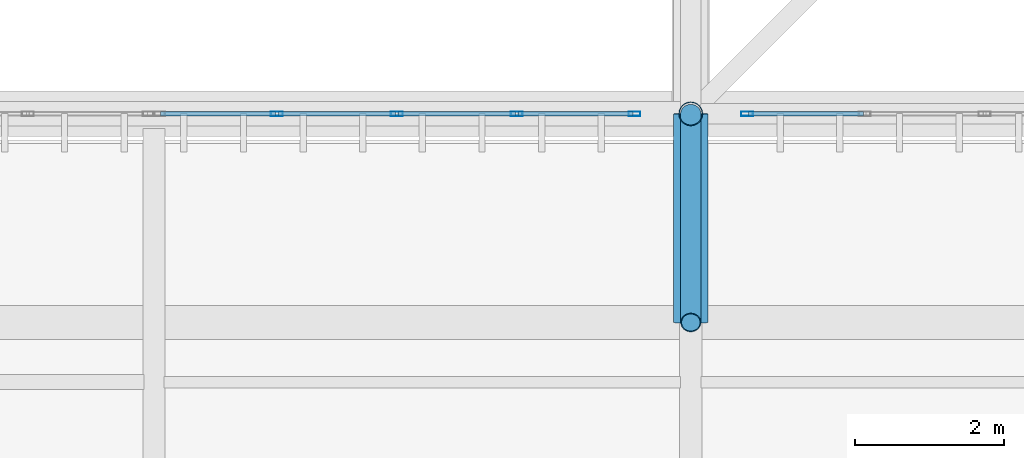
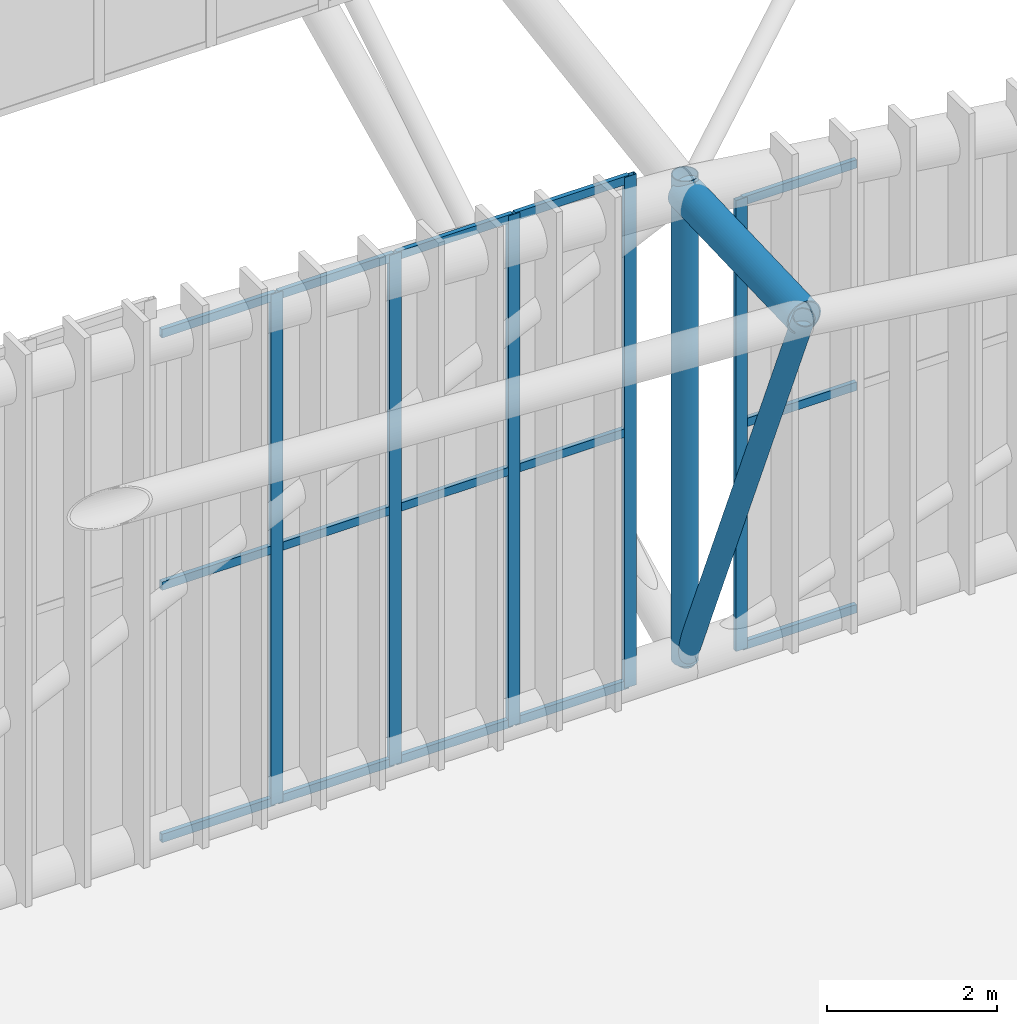
# One storey, part 83 of 397: 22 members, 1 beam, 2 elements without a shape of their own.
"""IFC4 building model written with IfcOpenShell, lengths in metres."""

from ifc_helpers import new_model, si_unit, direction, frame, origin, origin_2d, place, context, subcontext, project, spatial, hollow_rectangle, hollow_circle, extrude, material, material_profile, profile_set, type_object, element, aggregate, save


model = new_model("IFC4")

# Units and contexts
model_context = context("Model", 3, precision=1e-05, world=origin(), true_north=direction((0.0, 1.0)))
body_context = subcontext(model_context, "Body", "Model", "MODEL_VIEW")
ifc_project = project(units=[si_unit("LENGTHUNIT", "METRE"), si_unit("AREAUNIT", "SQUARE_METRE"), si_unit("VOLUMEUNIT", "CUBIC_METRE"), si_unit("PLANEANGLEUNIT", "RADIAN"), si_unit("MASSUNIT", "GRAM", prefix="KILO")], contexts=[model_context])

# Site, building, storey
site_placement = place(None, origin())
site = spatial("IfcSite", under=ifc_project, at=site_placement, CompositionType="ELEMENT")
building_placement = place(site_placement, origin())
building = spatial("IfcBuilding", under=site, at=building_placement, Name="Qandorah Velis Arena", CompositionType="ELEMENT")
storey_placement = place(building_placement, frame((0.0, 0.0, 27.5)))
storey = spatial("IfcBuildingStorey", under=building, at=storey_placement, Name="RF", CompositionType="ELEMENT", Elevation=27.5)

# Curtain wall, members
ifc_material_1 = material(Name="Solar-control low-E double glazing", Category="glass")
curtain_wall_type = type_object("IfcCurtainWallType", Name="ARC-CW-SYS22", PredefinedType="USERDEFINED", material=ifc_material_1)
curtain_wall_1_placement = place(storey_placement, origin())
curtain_wall_1 = element("IfcCurtainWall", 1, at=curtain_wall_1_placement, inside=storey, type_object=curtain_wall_type, Name="Unitised curtain wall CROWN-3-05S2", ObjectType="UNITISED CURTAIN WALL", PredefinedType="USERDEFINED")
ifc_material_2 = material(Name="Champagne-bronze anodized aluminium 6063-T6", Category="aluminium")
ifc_material_profile_1 = material_profile(ifc_material_2, hollow_rectangle(XDim=0.06005859375, YDim=0.159912109375, WallThickness=0.00341796875, at=origin_2d()), Name="ALU MULLION 60x160")
ifc_profile_set_1 = profile_set([ifc_material_profile_1], Name="Champagne-bronze anodized aluminium 6063-T6")
member_type_1 = type_object("IfcMemberType", Name="ARC-CWM-160", PredefinedType="MULLION", material=ifc_profile_set_1)
member_1_placement = place(storey_placement, frame((80.8486328125, 14.39990234375, -0.014892578125), z_axis=(0.0, 0.0, 1.0), x_axis=(0.0, 1.0, 0.0)))
member_1 = element("IfcMember", 2, at=member_1_placement, type_object=member_type_1, Name="CW22 mullion 2", PredefinedType="MULLION", context=body_context, shape_type="SweptSolid", body=[
    extrude(hollow_rectangle(XDim=0.06005859375, YDim=0.159912109375, WallThickness=0.00341796875, at=origin_2d()), origin(), (0.0, 0.0, 1.0), 7.32958984375),
])
member_2_placement = place(storey_placement, frame((82.45751953125, 14.39990234375, -0.014892578125), z_axis=(0.0, 0.0, 1.0), x_axis=(0.0, 1.0, 0.0)))
member_2 = element("IfcMember", 3, at=member_2_placement, type_object=member_type_1, Name="CW22 mullion 3", PredefinedType="MULLION", context=body_context, shape_type="SweptSolid", body=[
    extrude(hollow_rectangle(XDim=0.06005859375, YDim=0.159912109375, WallThickness=0.00341796875, at=origin_2d()), origin(), (0.0, 0.0, 1.0), 7.32958984375),
])
member_3_placement = place(storey_placement, frame((84.066162109375, 14.39990234375, -0.014892578125), z_axis=(0.0, 0.0, 1.0), x_axis=(0.0, 1.0, 0.0)))
member_3 = element("IfcMember", 4, at=member_3_placement, type_object=member_type_1, Name="CW22 mullion 4", PredefinedType="MULLION", context=body_context, shape_type="SweptSolid", body=[
    extrude(hollow_rectangle(XDim=0.06005859375, YDim=0.159912109375, WallThickness=0.00341796875, at=origin_2d()), origin(), (0.0, 0.0, 1.0), 7.32958984375),
])
member_4_placement = place(storey_placement, frame((85.64501953125, 14.39990234375, -0.014892578125), z_axis=(0.0, 0.0, 1.0), x_axis=(0.0, 1.0, 0.0)))
member_4 = element("IfcMember", 5, at=member_4_placement, type_object=member_type_1, Name="CW22 mullion 5", PredefinedType="MULLION", context=body_context, shape_type="SweptSolid", body=[
    extrude(hollow_rectangle(XDim=0.06005859375, YDim=0.159912109375, WallThickness=0.00341796875, at=origin_2d()), origin(), (0.0, 0.0, 1.0), 7.32958984375),
])

# Curtain wall, member
curtain_wall_2_placement = place(storey_placement, origin())
curtain_wall_2 = element("IfcCurtainWall", 6, at=curtain_wall_2_placement, inside=storey, type_object=curtain_wall_type, Name="Unitised curtain wall CROWN-3-06S1", ObjectType="UNITISED CURTAIN WALL", PredefinedType="USERDEFINED")
member_5_placement = place(storey_placement, frame((87.155029296875, 14.39990234375, -0.014892578125), z_axis=(0.0, 0.0, 1.0), x_axis=(0.0, 1.0, 0.0)))
member_5 = element("IfcMember", 7, at=member_5_placement, type_object=member_type_1, Name="CW22 mullion 1", PredefinedType="MULLION", context=body_context, shape_type="SweptSolid", body=[
    extrude(hollow_rectangle(XDim=0.06005859375, YDim=0.159912109375, WallThickness=0.00341796875, at=origin_2d()), origin(), (0.0, 0.0, 1.0), 6.469482421875),
])

# Member
ifc_material_profile_2 = material_profile(ifc_material_2, hollow_rectangle(XDim=0.06005859375, YDim=0.1201171875, WallThickness=0.0029296875, at=origin_2d()), Name="ALU TRANSOM 60x120")
ifc_profile_set_2 = profile_set([ifc_material_profile_2], Name="Champagne-bronze anodized aluminium 6063-T6")
member_type_2 = type_object("IfcMemberType", Name="ARC-CWT-120", PredefinedType="USERDEFINED", material=ifc_profile_set_2)
member_6_placement = place(storey_placement, frame((79.2880859375, 14.39990234375, 0.030029296875), z_axis=(1.0, 0.0, 0.0), x_axis=(0.0, 1.0, 0.0)))
member_6 = element("IfcMember", 8, at=member_6_placement, type_object=member_type_2, Name="CW22 transom 1.1", ObjectType="TRANSOM", PredefinedType="USERDEFINED", context=body_context, shape_type="SweptSolid", body=[
    extrude(hollow_rectangle(XDim=0.06005859375, YDim=0.1201171875, WallThickness=0.0029296875, at=origin_2d()), origin(), (0.0, 0.0, 1.0), 1.542724609375),
])

member_7_placement = place(storey_placement, frame((79.2880859375, 14.39990234375, 3.64990234375), z_axis=(1.0, 0.0, 0.0), x_axis=(0.0, 1.0, 0.0)))
member_7 = element("IfcMember", 9, at=member_7_placement, type_object=member_type_2, Name="CW22 transom 1.2", ObjectType="TRANSOM", PredefinedType="USERDEFINED", context=body_context, shape_type="SweptSolid", body=[
    extrude(hollow_rectangle(XDim=0.06005859375, YDim=0.1201171875, WallThickness=0.0029296875, at=origin_2d()), origin(), (0.0, 0.0, 1.0), 1.542724609375),
])

member_8_placement = place(storey_placement, frame((79.2880859375, 14.39990234375, 7.269775390625), z_axis=(1.0, 0.0, 0.0), x_axis=(0.0, 1.0, 0.0)))
member_8 = element("IfcMember", 10, at=member_8_placement, type_object=member_type_2, Name="CW22 transom 1.3", ObjectType="TRANSOM", PredefinedType="USERDEFINED", context=body_context, shape_type="SweptSolid", body=[
    extrude(hollow_rectangle(XDim=0.06005859375, YDim=0.1201171875, WallThickness=0.0029296875, at=origin_2d()), origin(), (0.0, 0.0, 1.0), 1.542724609375),
])

member_9_placement = place(storey_placement, frame((80.86669921875, 14.39990234375, 0.030029296875), z_axis=(1.0, 0.0, 0.0), x_axis=(0.0, 1.0, 0.0)))
member_9 = element("IfcMember", 11, at=member_9_placement, type_object=member_type_2, Name="CW22 transom 2.1", ObjectType="TRANSOM", PredefinedType="USERDEFINED", context=body_context, shape_type="SweptSolid", body=[
    extrude(hollow_rectangle(XDim=0.06005859375, YDim=0.1201171875, WallThickness=0.0029296875, at=origin_2d()), origin(), (0.0, 0.0, 1.0), 1.57275390625),
])

member_10_placement = place(storey_placement, frame((80.86669921875, 14.39990234375, 3.64990234375), z_axis=(1.0, 0.0, 0.0), x_axis=(0.0, 1.0, 0.0)))
member_10 = element("IfcMember", 12, at=member_10_placement, type_object=member_type_2, Name="CW22 transom 2.2", ObjectType="TRANSOM", PredefinedType="USERDEFINED", context=body_context, shape_type="SweptSolid", body=[
    extrude(hollow_rectangle(XDim=0.06005859375, YDim=0.1201171875, WallThickness=0.0029296875, at=origin_2d()), origin(), (0.0, 0.0, 1.0), 1.57275390625),
])

member_11_placement = place(storey_placement, frame((80.86669921875, 14.39990234375, 7.269775390625), z_axis=(1.0, 0.0, 0.0), x_axis=(0.0, 1.0, 0.0)))
member_11 = element("IfcMember", 13, at=member_11_placement, type_object=member_type_2, Name="CW22 transom 2.3", ObjectType="TRANSOM", PredefinedType="USERDEFINED", context=body_context, shape_type="SweptSolid", body=[
    extrude(hollow_rectangle(XDim=0.06005859375, YDim=0.1201171875, WallThickness=0.0029296875, at=origin_2d()), origin(), (0.0, 0.0, 1.0), 1.57275390625),
])

member_12_placement = place(storey_placement, frame((82.4755859375, 14.39990234375, 0.030029296875), z_axis=(1.0, 0.0, 0.0), x_axis=(0.0, 1.0, 0.0)))
member_12 = element("IfcMember", 14, at=member_12_placement, type_object=member_type_2, Name="CW22 transom 3.1", ObjectType="TRANSOM", PredefinedType="USERDEFINED", context=body_context, shape_type="SweptSolid", body=[
    extrude(hollow_rectangle(XDim=0.06005859375, YDim=0.1201171875, WallThickness=0.0029296875, at=origin_2d()), origin(), (0.0, 0.0, 1.0), 1.572509765625),
])

member_13_placement = place(storey_placement, frame((82.4755859375, 14.39990234375, 3.64990234375), z_axis=(1.0, 0.0, 0.0), x_axis=(0.0, 1.0, 0.0)))
member_13 = element("IfcMember", 15, at=member_13_placement, type_object=member_type_2, Name="CW22 transom 3.2", ObjectType="TRANSOM", PredefinedType="USERDEFINED", context=body_context, shape_type="SweptSolid", body=[
    extrude(hollow_rectangle(XDim=0.06005859375, YDim=0.1201171875, WallThickness=0.0029296875, at=origin_2d()), origin(), (0.0, 0.0, 1.0), 1.572509765625),
])

member_14_placement = place(storey_placement, frame((82.4755859375, 14.39990234375, 7.269775390625), z_axis=(1.0, 0.0, 0.0), x_axis=(0.0, 1.0, 0.0)))
member_14 = element("IfcMember", 16, at=member_14_placement, type_object=member_type_2, Name="CW22 transom 3.3", ObjectType="TRANSOM", PredefinedType="USERDEFINED", context=body_context, shape_type="SweptSolid", body=[
    extrude(hollow_rectangle(XDim=0.06005859375, YDim=0.1201171875, WallThickness=0.0029296875, at=origin_2d()), origin(), (0.0, 0.0, 1.0), 1.572509765625),
])

member_15_placement = place(storey_placement, frame((84.084228515625, 14.39990234375, 0.030029296875), z_axis=(1.0, 0.0, 0.0), x_axis=(0.0, 1.0, 0.0)))
member_15 = element("IfcMember", 17, at=member_15_placement, type_object=member_type_2, Name="CW22 transom 4.1", ObjectType="TRANSOM", PredefinedType="USERDEFINED", context=body_context, shape_type="SweptSolid", body=[
    extrude(hollow_rectangle(XDim=0.06005859375, YDim=0.1201171875, WallThickness=0.0029296875, at=origin_2d()), origin(), (0.0, 0.0, 1.0), 1.542724609375),
])

member_16_placement = place(storey_placement, frame((84.084228515625, 14.39990234375, 3.64990234375), z_axis=(1.0, 0.0, 0.0), x_axis=(0.0, 1.0, 0.0)))
member_16 = element("IfcMember", 18, at=member_16_placement, type_object=member_type_2, Name="CW22 transom 4.2", ObjectType="TRANSOM", PredefinedType="USERDEFINED", context=body_context, shape_type="SweptSolid", body=[
    extrude(hollow_rectangle(XDim=0.06005859375, YDim=0.1201171875, WallThickness=0.0029296875, at=origin_2d()), origin(), (0.0, 0.0, 1.0), 1.542724609375),
])

member_17_placement = place(storey_placement, frame((84.084228515625, 14.39990234375, 7.269775390625), z_axis=(1.0, 0.0, 0.0), x_axis=(0.0, 1.0, 0.0)))
member_17 = element("IfcMember", 19, at=member_17_placement, type_object=member_type_2, Name="CW22 transom 4.3", ObjectType="TRANSOM", PredefinedType="USERDEFINED", context=body_context, shape_type="SweptSolid", body=[
    extrude(hollow_rectangle(XDim=0.06005859375, YDim=0.1201171875, WallThickness=0.0029296875, at=origin_2d()), origin(), (0.0, 0.0, 1.0), 1.542724609375),
])

aggregate(curtain_wall_1, [member_1, member_2, member_3, member_4, member_6, member_7, member_8, member_9, member_10, member_11, member_12, member_13, member_14, member_15, member_16, member_17])

member_18_placement = place(storey_placement, frame((87.173095703125, 14.39990234375, 0.030029296875), z_axis=(1.0, 0.0, 0.0), x_axis=(0.0, 1.0, 0.0)))
member_18 = element("IfcMember", 20, at=member_18_placement, type_object=member_type_2, Name="CW22 transom 1.1", ObjectType="TRANSOM", PredefinedType="USERDEFINED", context=body_context, shape_type="SweptSolid", body=[
    extrude(hollow_rectangle(XDim=0.06005859375, YDim=0.1201171875, WallThickness=0.0029296875, at=origin_2d()), origin(), (0.0, 0.0, 1.0), 1.542724609375),
])

member_19_placement = place(storey_placement, frame((87.173095703125, 14.39990234375, 3.219970703125), z_axis=(1.0, 0.0, 0.0), x_axis=(0.0, 1.0, 0.0)))
member_19 = element("IfcMember", 21, at=member_19_placement, type_object=member_type_2, Name="CW22 transom 1.2", ObjectType="TRANSOM", PredefinedType="USERDEFINED", context=body_context, shape_type="SweptSolid", body=[
    extrude(hollow_rectangle(XDim=0.06005859375, YDim=0.1201171875, WallThickness=0.0029296875, at=origin_2d()), origin(), (0.0, 0.0, 1.0), 1.542724609375),
])

member_20_placement = place(storey_placement, frame((87.173095703125, 14.39990234375, 6.40966796875), z_axis=(1.0, 0.0, 0.0), x_axis=(0.0, 1.0, 0.0)))
member_20 = element("IfcMember", 22, at=member_20_placement, type_object=member_type_2, Name="CW22 transom 1.3", ObjectType="TRANSOM", PredefinedType="USERDEFINED", context=body_context, shape_type="SweptSolid", body=[
    extrude(hollow_rectangle(XDim=0.06005859375, YDim=0.1201171875, WallThickness=0.0029296875, at=origin_2d()), origin(), (0.0, 0.0, 1.0), 1.542724609375),
])

aggregate(curtain_wall_2, [member_5, member_18, member_19, member_20])

# Beam
ifc_material_3 = material(Name="Steel S355", Category="steel")
ifc_material_profile_3 = material_profile(ifc_material_3, hollow_circle(Radius=0.228515625, WallThickness=0.01611328125, at=origin_2d()), Name="CHS 457x16")
ifc_profile_set_3 = profile_set([ifc_material_profile_3], Name="Steel S355")
beam_type = type_object("IfcBeamType", Name="STR-SFC-CHS457X16", PredefinedType="USERDEFINED", material=ifc_profile_set_3)
beam_placement = place(storey_placement, frame((86.39990234375, 14.39990234375, 6.79931640625), z_axis=(0.0, -0.999361521522, -0.035728830121), x_axis=(1.0, 0.0, 0.0)))
element("IfcBeam", 23, at=beam_placement, inside=storey, type_object=beam_type, Name="Space frame eave outrigger S-5", ObjectType="ROOF TRUSS", PredefinedType="USERDEFINED", context=body_context, shape_type="SweptSolid", body=[
    extrude(hollow_circle(Radius=0.228515625, WallThickness=0.01611328125, at=origin_2d()), origin(), (0.0, 0.0, 1.0), 2.801513671875),
])

# Members
ifc_material_profile_4 = material_profile(ifc_material_3, hollow_circle(Radius=0.136474609375, WallThickness=0.012451171875, at=origin_2d()), Name="CHS 273x12.5")
ifc_profile_set_4 = profile_set([ifc_material_profile_4], Name="Steel S355")
member_type_3 = type_object("IfcMemberType", Name="STR-SFD-CHS273X12", PredefinedType="STRUT", material=ifc_profile_set_4)
member_21_placement = place(storey_placement, frame((86.39990234375, 14.39990234375, 0.10009765625), z_axis=(0.0, -0.390570837806, 0.920572876342), x_axis=(1.0, 0.0, 0.0)))
element("IfcMember", 24, at=member_21_placement, inside=storey, type_object=member_type_3, Name="Space frame eave raking strut S-5", PredefinedType="STRUT", context=body_context, shape_type="SweptSolid", body=[
    extrude(hollow_circle(Radius=0.136474609375, WallThickness=0.012451171875, at=origin_2d()), origin(), (0.0, 0.0, 1.0), 7.16845703125),
])
ifc_material_profile_5 = material_profile(ifc_material_3, hollow_circle(Radius=0.161865234375, WallThickness=0.012451171875, at=origin_2d()), Name="CHS 323.9x12.5")
ifc_profile_set_5 = profile_set([ifc_material_profile_5], Name="Steel S355")
member_type_4 = type_object("IfcMemberType", Name="STR-SFD-CHS323X12", PredefinedType="CHORD", material=ifc_profile_set_5)
member_22_placement = place(storey_placement, frame((86.39990234375, 14.39990234375, 0.10009765625), z_axis=(0.0, 0.0, 1.0), x_axis=(1.0, 0.0, 0.0)))
element("IfcMember", 25, at=member_22_placement, inside=storey, type_object=member_type_4, Name="Space frame roof vertical post 5.0", PredefinedType="CHORD", context=body_context, shape_type="SweptSolid", body=[
    extrude(hollow_circle(Radius=0.161865234375, WallThickness=0.012451171875, at=origin_2d()), origin(), (0.0, 0.0, 1.0), 6.958984375),
])

save(model, "model.ifc")
